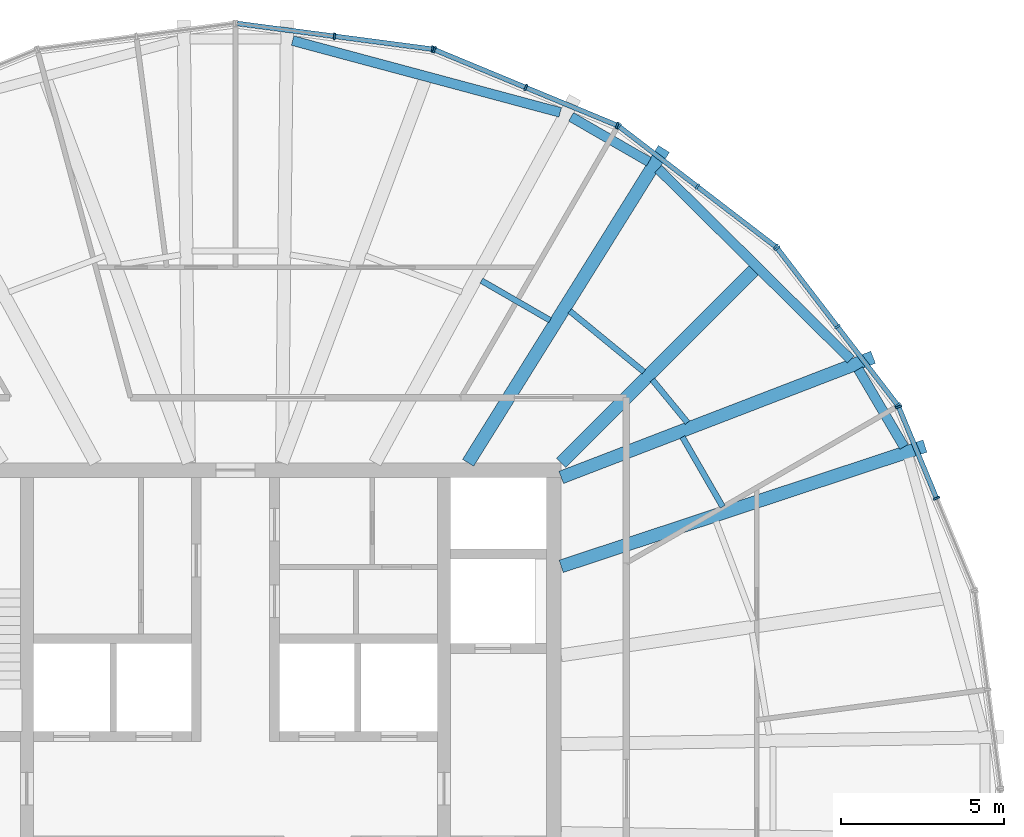
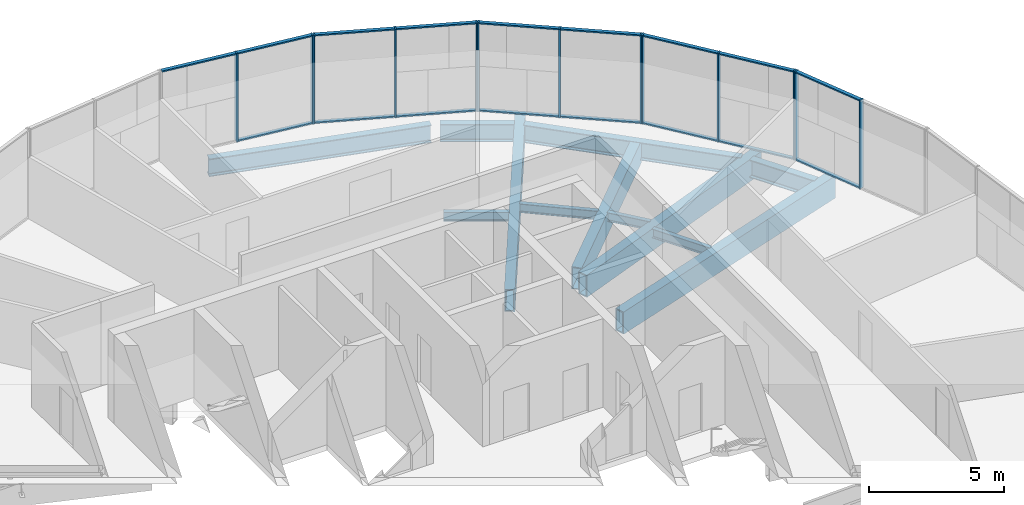
# One storey, part 7 of 13: 30 members, 12 beams, 5 elements without a shape of their own.
"""IFC4 building model written with IfcOpenShell, lengths in metres."""

from ifc_helpers import new_model, si_unit, direction, frame, origin, origin_2d, place, context, subcontext, project, spatial, rectangle, hollow_rectangle, i_section, extrude, material, material_profile, profile_set, type_object, element, aggregate, save


model = new_model("IFC4")

# Units and contexts
model_context = context("Model", 3, precision=1e-05, world=origin(), true_north=direction((0.0, 1.0)))
body_context = subcontext(model_context, "Body", "Model", "MODEL_VIEW")
ifc_project = project(units=[si_unit("LENGTHUNIT", "METRE"), si_unit("AREAUNIT", "SQUARE_METRE"), si_unit("VOLUMEUNIT", "CUBIC_METRE"), si_unit("PLANEANGLEUNIT", "RADIAN"), si_unit("MASSUNIT", "GRAM", prefix="KILO")], contexts=[model_context])

# Site, building, storey
site_placement = place(None, origin())
site = spatial("IfcSite", under=ifc_project, at=site_placement, CompositionType="ELEMENT")
building_placement = place(site_placement, origin())
building = spatial("IfcBuilding", under=site, at=building_placement, Name="Golbaran Civic Tower", CompositionType="ELEMENT")
storey_placement = place(building_placement, frame((0.0, 0.0, 211.0)))
storey = spatial("IfcBuildingStorey", under=building, at=storey_placement, Name="L51", CompositionType="ELEMENT", Elevation=211.0)

# Beams
ifc_material_1 = material(Name="Steel S355", Category="steel")
ifc_material_profile_1 = material_profile(ifc_material_1, i_section(OverallWidth=0.300048828125, OverallDepth=0.800048828125, WebThickness=0.017578125, FlangeThickness=0.032958984375, FilletRadius=0.030029296875, at=origin_2d()), Name="HEB 800")
ifc_profile_set_1 = profile_set([ifc_material_profile_1], Name="Steel S355")
beam_type_1 = type_object("IfcBeamType", Name="EDGE BEAM HEB 800", PredefinedType="BEAM", material=ifc_profile_set_1)
beam_1_placement = place(storey_placement, frame((20.519775390625, 10.489013671875, -0.60009765625), z_axis=(-0.507657170401, 0.861559166477, 0.0), x_axis=(-0.861559166477, -0.507657170401, 0.0)))
element("IfcBeam", 1, at=beam_1_placement, inside=storey, type_object=beam_type_1, Name="Edge beam 26.23 L51", PredefinedType="BEAM", context=body_context, shape_type="SweptSolid", body=[
    extrude(i_section(OverallWidth=0.300048828125, OverallDepth=0.800048828125, WebThickness=0.017578125, FlangeThickness=0.032958984375, FilletRadius=0.030029296875, at=origin_2d()), origin(), (0.0, 0.0, 1.0), 2.762939453125),
])
beam_2_placement = place(storey_placement, frame((18.88427734375, 13.16552734375, -0.60009765625), z_axis=(-0.710417192706, 0.703780798479, 0.0), x_axis=(-0.703780798479, -0.710417192706, 0.0)))
element("IfcBeam", 2, at=beam_2_placement, inside=storey, type_object=beam_type_1, Name="Edge beam 33.77 L51", PredefinedType="BEAM", context=body_context, shape_type="SweptSolid", body=[
    extrude(i_section(OverallWidth=0.300048828125, OverallDepth=0.800048828125, WebThickness=0.017578125, FlangeThickness=0.032958984375, FilletRadius=0.030029296875, at=origin_2d()), origin(), (0.0, 0.0, 1.0), 8.314208984375),
])
beam_3_placement = place(storey_placement, frame((12.690673828125, 19.236572265625, -0.60009765625), z_axis=(-0.866142829472, 0.499796557565, 0.0), x_axis=(-0.499796557565, -0.866142829472, 0.0)))
element("IfcBeam", 3, at=beam_3_placement, inside=storey, type_object=beam_type_1, Name="Edge beam 56.23 L51", PredefinedType="BEAM", context=body_context, shape_type="SweptSolid", body=[
    extrude(i_section(OverallWidth=0.300048828125, OverallDepth=0.800048828125, WebThickness=0.017578125, FlangeThickness=0.032958984375, FilletRadius=0.030029296875, at=origin_2d()), origin(), (0.0, 0.0, 1.0), 2.757080078125),
])
beam_4_placement = place(storey_placement, frame((9.9677734375, 20.75244140625, -0.60009765625), z_axis=(-0.965858788326, 0.259069104706, 0.0), x_axis=(-0.259069104706, -0.965858788326, 0.0)))
element("IfcBeam", 4, at=beam_4_placement, inside=storey, type_object=beam_type_1, Name="Edge beam 63.77 L51", PredefinedType="BEAM", context=body_context, shape_type="SweptSolid", body=[
    extrude(i_section(OverallWidth=0.300048828125, OverallDepth=0.800048828125, WebThickness=0.017578125, FlangeThickness=0.032958984375, FilletRadius=0.030029296875, at=origin_2d()), origin(), (0.0, 0.0, 1.0), 8.501220703125),
])
ifc_material_profile_2 = material_profile(ifc_material_1, i_section(OverallWidth=0.179931640625, OverallDepth=0.39990234375, WebThickness=0.008544921875, FlangeThickness=0.013427734375, FilletRadius=0.02099609375, at=origin_2d()), Name="IPE 400")
ifc_profile_set_2 = profile_set([ifc_material_profile_2], Name="Steel S355")
beam_type_2 = type_object("IfcBeamType", Name="FLOOR INFILL BEAM IPE 400", PredefinedType="BEAM", material=ifc_profile_set_2)
beam_5_placement = place(storey_placement, frame((14.954833984375, 8.649169921875, -0.39990234375), z_axis=(-0.499984653673, 0.866034263809, 0.0), x_axis=(-0.866034263809, -0.499984653673, 0.0)))
element("IfcBeam", 5, at=beam_5_placement, inside=storey, type_object=beam_type_2, Name="Infill beam 30.00 L51", PredefinedType="BEAM", context=body_context, shape_type="SweptSolid", body=[
    extrude(i_section(OverallWidth=0.179931640625, OverallDepth=0.39990234375, WebThickness=0.008544921875, FlangeThickness=0.013427734375, FilletRadius=0.02099609375, at=origin_2d()), origin(), (0.0, 0.0, 1.0), 2.4716796875),
])
beam_6_placement = place(storey_placement, frame((13.87255859375, 11.23486328125, -0.39990234375), z_axis=(-0.63457951608, 0.772857579229, 0.0), x_axis=(-0.772857579229, -0.63457951608, 0.0)))
element("IfcBeam", 6, at=beam_6_placement, inside=storey, type_object=beam_type_2, Name="Infill beam 39.39 L51", PredefinedType="BEAM", context=body_context, shape_type="SweptSolid", body=[
    extrude(i_section(OverallWidth=0.179931640625, OverallDepth=0.39990234375, WebThickness=0.008544921875, FlangeThickness=0.013427734375, FilletRadius=0.02099609375, at=origin_2d()), origin(), (0.0, 0.0, 1.0), 1.693115234375),
])
beam_7_placement = place(storey_placement, frame((12.5361328125, 12.79052734375, -0.39990234375), z_axis=(-0.77290341436, 0.634523689133, 0.0), x_axis=(-0.634523689133, -0.77290341436, 0.0)))
element("IfcBeam", 7, at=beam_7_placement, inside=storey, type_object=beam_type_2, Name="Infill beam 50.61 L51", PredefinedType="BEAM", context=body_context, shape_type="SweptSolid", body=[
    extrude(i_section(OverallWidth=0.179931640625, OverallDepth=0.39990234375, WebThickness=0.008544921875, FlangeThickness=0.013427734375, FilletRadius=0.02099609375, at=origin_2d()), origin(), (0.0, 0.0, 1.0), 2.944580078125),
])
beam_8_placement = place(storey_placement, frame((9.657470703125, 14.37255859375, -0.39990234375), z_axis=(-0.866041838024, 0.499971533982, 0.0), x_axis=(-0.499971533982, -0.866041838024, 0.0)))
element("IfcBeam", 8, at=beam_8_placement, inside=storey, type_object=beam_type_2, Name="Infill beam 60.00 L51", PredefinedType="BEAM", context=body_context, shape_type="SweptSolid", body=[
    extrude(i_section(OverallWidth=0.179931640625, OverallDepth=0.39990234375, WebThickness=0.008544921875, FlangeThickness=0.013427734375, FilletRadius=0.02099609375, at=origin_2d()), origin(), (0.0, 0.0, 1.0), 2.432373046875),
])

# Curtain wall, members
ifc_material_2 = material(Name="Aluminium and glass", Category="aluminium")
curtain_wall_type = type_object("IfcCurtainWallType", Name="INNER SKIN CURTAIN WALL EXECUTIVE", PredefinedType="NOTDEFINED", material=ifc_material_2)
curtain_wall_1_placement = place(storey_placement, origin())
curtain_wall_1 = element("IfcCurtainWall", 9, at=curtain_wall_1_placement, inside=storey, type_object=curtain_wall_type, Name="Inner skin L51 facet 2 CW2", ObjectType="INNER SKIN", PredefinedType="USERDEFINED")
ifc_material_3 = material(Name="Aluminium", Category="aluminium")
ifc_material_profile_3 = material_profile(ifc_material_3, rectangle(XDim=0.199951171875, YDim=0.06005859375, at=origin_2d()), Name="INNER SKIN CURTAIN WALL EXECUTIVE MULLION")
ifc_profile_set_3 = profile_set([ifc_material_profile_3], Name="Aluminium")
member_type_1 = type_object("IfcMemberType", Name="INNER SKIN CURTAIN WALL EXECUTIVE MULLION", PredefinedType="MULLION", material=ifc_profile_set_3)
member_1_placement = place(storey_placement, frame((21.514404296875, 8.91162109375, 0.0), z_axis=(0.0, 0.0, 1.0), x_axis=(-0.923879532505, -0.382683432381, 0.0)))
member_1 = element("IfcMember", 10, at=member_1_placement, type_object=member_type_1, Name="CW2 mullion 2", PredefinedType="MULLION", context=body_context, shape_type="SweptSolid", body=[
    extrude(rectangle(XDim=0.199951171875, YDim=0.06005859375, at=origin_2d()), origin(), (0.0, 0.0, 1.0), 4.0),
])
member_2_placement = place(storey_placement, frame((20.352783203125, 11.71630859375, 0.0), z_axis=(0.0, 0.0, 1.0), x_axis=(-0.923879532505, -0.382683432381, 0.0)))
member_2 = element("IfcMember", 11, at=member_2_placement, type_object=member_type_1, Name="CW2 mullion 3", PredefinedType="MULLION", context=body_context, shape_type="SweptSolid", body=[
    extrude(rectangle(XDim=0.199951171875, YDim=0.06005859375, at=origin_2d()), origin(), (0.0, 0.0, 1.0), 4.0),
])

curtain_wall_2_placement = place(storey_placement, origin())
curtain_wall_2 = element("IfcCurtainWall", 12, at=curtain_wall_2_placement, inside=storey, type_object=curtain_wall_type, Name="Inner skin L51 facet 3 CW2", ObjectType="INNER SKIN", PredefinedType="USERDEFINED")
member_3_placement = place(storey_placement, frame((20.322998046875, 11.767822265625, 0.0), z_axis=(0.0, 0.0, 1.0), x_axis=(-0.793353340366, -0.608761428912, 0.0)))
member_3 = element("IfcMember", 13, at=member_3_placement, type_object=member_type_1, Name="CW2 mullion 1", PredefinedType="MULLION", context=body_context, shape_type="SweptSolid", body=[
    extrude(rectangle(XDim=0.199951171875, YDim=0.06005859375, at=origin_2d()), origin(), (0.0, 0.0, 1.0), 4.0),
])
member_4_placement = place(storey_placement, frame((18.474853515625, 14.17626953125, 0.0), z_axis=(0.0, 0.0, 1.0), x_axis=(-0.793353340366, -0.608761428912, 0.0)))
member_4 = element("IfcMember", 14, at=member_4_placement, type_object=member_type_1, Name="CW2 mullion 2", PredefinedType="MULLION", context=body_context, shape_type="SweptSolid", body=[
    extrude(rectangle(XDim=0.199951171875, YDim=0.06005859375, at=origin_2d()), origin(), (0.0, 0.0, 1.0), 4.0),
])
member_5_placement = place(storey_placement, frame((16.626708984375, 16.584716796875, 0.0), z_axis=(0.0, 0.0, 1.0), x_axis=(-0.793353340366, -0.608761428912, 0.0)))
member_5 = element("IfcMember", 15, at=member_5_placement, type_object=member_type_1, Name="CW2 mullion 3", PredefinedType="MULLION", context=body_context, shape_type="SweptSolid", body=[
    extrude(rectangle(XDim=0.199951171875, YDim=0.06005859375, at=origin_2d()), origin(), (0.0, 0.0, 1.0), 4.0),
])

curtain_wall_3_placement = place(storey_placement, origin())
curtain_wall_3 = element("IfcCurtainWall", 16, at=curtain_wall_3_placement, inside=storey, type_object=curtain_wall_type, Name="Inner skin L51 facet 4 CW2", ObjectType="INNER SKIN", PredefinedType="USERDEFINED")
member_6_placement = place(storey_placement, frame((16.584716796875, 16.626708984375, 0.0), z_axis=(0.0, 0.0, 1.0), x_axis=(-0.608761428912, -0.793353340366, 0.0)))
member_6 = element("IfcMember", 17, at=member_6_placement, type_object=member_type_1, Name="CW2 mullion 1", PredefinedType="MULLION", context=body_context, shape_type="SweptSolid", body=[
    extrude(rectangle(XDim=0.199951171875, YDim=0.06005859375, at=origin_2d()), origin(), (0.0, 0.0, 1.0), 4.0),
])
member_7_placement = place(storey_placement, frame((14.17626953125, 18.474853515625, 0.0), z_axis=(0.0, 0.0, 1.0), x_axis=(-0.608761428912, -0.793353340366, 0.0)))
member_7 = element("IfcMember", 18, at=member_7_placement, type_object=member_type_1, Name="CW2 mullion 2", PredefinedType="MULLION", context=body_context, shape_type="SweptSolid", body=[
    extrude(rectangle(XDim=0.199951171875, YDim=0.06005859375, at=origin_2d()), origin(), (0.0, 0.0, 1.0), 4.0),
])
member_8_placement = place(storey_placement, frame((11.767822265625, 20.322998046875, 0.0), z_axis=(0.0, 0.0, 1.0), x_axis=(-0.608761428912, -0.793353340366, 0.0)))
member_8 = element("IfcMember", 19, at=member_8_placement, type_object=member_type_1, Name="CW2 mullion 3", PredefinedType="MULLION", context=body_context, shape_type="SweptSolid", body=[
    extrude(rectangle(XDim=0.199951171875, YDim=0.06005859375, at=origin_2d()), origin(), (0.0, 0.0, 1.0), 4.0),
])

curtain_wall_4_placement = place(storey_placement, origin())
curtain_wall_4 = element("IfcCurtainWall", 20, at=curtain_wall_4_placement, inside=storey, type_object=curtain_wall_type, Name="Inner skin L51 facet 5 CW2", ObjectType="INNER SKIN", PredefinedType="USERDEFINED")
member_9_placement = place(storey_placement, frame((11.71630859375, 20.352783203125, 0.0), z_axis=(0.0, 0.0, 1.0), x_axis=(-0.382683432381, -0.923879532505, 0.0)))
member_9 = element("IfcMember", 21, at=member_9_placement, type_object=member_type_1, Name="CW2 mullion 1", PredefinedType="MULLION", context=body_context, shape_type="SweptSolid", body=[
    extrude(rectangle(XDim=0.199951171875, YDim=0.06005859375, at=origin_2d()), origin(), (0.0, 0.0, 1.0), 4.0),
])
member_10_placement = place(storey_placement, frame((8.91162109375, 21.514404296875, 0.0), z_axis=(0.0, 0.0, 1.0), x_axis=(-0.382683432381, -0.923879532505, 0.0)))
member_10 = element("IfcMember", 22, at=member_10_placement, type_object=member_type_1, Name="CW2 mullion 2", PredefinedType="MULLION", context=body_context, shape_type="SweptSolid", body=[
    extrude(rectangle(XDim=0.199951171875, YDim=0.06005859375, at=origin_2d()), origin(), (0.0, 0.0, 1.0), 4.0),
])
member_11_placement = place(storey_placement, frame((6.10693359375, 22.67626953125, 0.0), z_axis=(0.0, 0.0, 1.0), x_axis=(-0.382683432381, -0.923879532505, 0.0)))
member_11 = element("IfcMember", 23, at=member_11_placement, type_object=member_type_1, Name="CW2 mullion 3", PredefinedType="MULLION", context=body_context, shape_type="SweptSolid", body=[
    extrude(rectangle(XDim=0.199951171875, YDim=0.06005859375, at=origin_2d()), origin(), (0.0, 0.0, 1.0), 4.0),
])

curtain_wall_5_placement = place(storey_placement, origin())
curtain_wall_5 = element("IfcCurtainWall", 24, at=curtain_wall_5_placement, inside=storey, type_object=curtain_wall_type, Name="Inner skin L51 facet 6 CW2", ObjectType="INNER SKIN", PredefinedType="USERDEFINED")
member_12_placement = place(storey_placement, frame((6.04931640625, 22.691650390625, 0.0), z_axis=(0.0, 0.0, 1.0), x_axis=(-0.130526192203, -0.991444861376, 0.0)))
member_12 = element("IfcMember", 25, at=member_12_placement, type_object=member_type_1, Name="CW2 mullion 1", PredefinedType="MULLION", context=body_context, shape_type="SweptSolid", body=[
    extrude(rectangle(XDim=0.199951171875, YDim=0.06005859375, at=origin_2d()), origin(), (0.0, 0.0, 1.0), 4.0),
])
member_13_placement = place(storey_placement, frame((3.03955078125, 23.087890625, 0.0), z_axis=(0.0, 0.0, 1.0), x_axis=(-0.130526192203, -0.991444861376, 0.0)))
member_13 = element("IfcMember", 26, at=member_13_placement, type_object=member_type_1, Name="CW2 mullion 2", PredefinedType="MULLION", context=body_context, shape_type="SweptSolid", body=[
    extrude(rectangle(XDim=0.199951171875, YDim=0.06005859375, at=origin_2d()), origin(), (0.0, 0.0, 1.0), 4.0),
])

# Member
ifc_material_profile_4 = material_profile(ifc_material_3, rectangle(XDim=0.14990234375, YDim=0.06005859375, at=origin_2d()), Name="INNER SKIN CURTAIN WALL EXECUTIVE TRANSOM")
ifc_profile_set_4 = profile_set([ifc_material_profile_4], Name="Aluminium")
member_type_2 = type_object("IfcMemberType", Name="INNER SKIN CURTAIN WALL EXECUTIVE TRANSOM", PredefinedType="USERDEFINED", material=ifc_profile_set_4)
member_14_placement = place(storey_placement, frame((21.5029296875, 8.939208984375, 0.030029296875), z_axis=(-0.382651294204, 0.923892843918, 0.0), x_axis=(-0.923892843918, -0.382651294204, 0.0)))
member_14 = element("IfcMember", 27, at=member_14_placement, type_object=member_type_2, Name="CW2 transom 2.1", ObjectType="TRANSOM", PredefinedType="USERDEFINED", context=body_context, shape_type="SweptSolid", body=[
    extrude(rectangle(XDim=0.14990234375, YDim=0.06005859375, at=origin_2d()), origin(), (0.0, 0.0, 1.0), 2.975830078125),
])

member_15_placement = place(storey_placement, frame((21.5029296875, 8.939208984375, 3.969970703125), z_axis=(-0.382651294204, 0.923892843918, 0.0), x_axis=(-0.923892843918, -0.382651294204, 0.0)))
member_15 = element("IfcMember", 28, at=member_15_placement, type_object=member_type_2, Name="CW2 transom 2.2", ObjectType="TRANSOM", PredefinedType="USERDEFINED", context=body_context, shape_type="SweptSolid", body=[
    extrude(rectangle(XDim=0.14990234375, YDim=0.06005859375, at=origin_2d()), origin(), (0.0, 0.0, 1.0), 2.975830078125),
])

aggregate(curtain_wall_1, [member_1, member_2, member_14, member_15])

member_16_placement = place(storey_placement, frame((20.3046875, 11.79150390625, 0.030029296875), z_axis=(-0.608758745152, 0.79335539968, 0.0), x_axis=(-0.79335539968, -0.608758745152, 0.0)))
member_16 = element("IfcMember", 29, at=member_16_placement, type_object=member_type_2, Name="CW2 transom 1.1", ObjectType="TRANSOM", PredefinedType="USERDEFINED", context=body_context, shape_type="SweptSolid", body=[
    extrude(rectangle(XDim=0.14990234375, YDim=0.06005859375, at=origin_2d()), origin(), (0.0, 0.0, 1.0), 2.975830078125),
])

member_17_placement = place(storey_placement, frame((20.3046875, 11.79150390625, 3.969970703125), z_axis=(-0.608758745152, 0.79335539968, 0.0), x_axis=(-0.79335539968, -0.608758745152, 0.0)))
member_17 = element("IfcMember", 30, at=member_17_placement, type_object=member_type_2, Name="CW2 transom 1.2", ObjectType="TRANSOM", PredefinedType="USERDEFINED", context=body_context, shape_type="SweptSolid", body=[
    extrude(rectangle(XDim=0.14990234375, YDim=0.06005859375, at=origin_2d()), origin(), (0.0, 0.0, 1.0), 2.975830078125),
])

member_18_placement = place(storey_placement, frame((18.45654296875, 14.199951171875, 0.030029296875), z_axis=(-0.608719123338, 0.793385800782, 0.0), x_axis=(-0.793385800782, -0.608719123338, 0.0)))
member_18 = element("IfcMember", 31, at=member_18_placement, type_object=member_type_2, Name="CW2 transom 2.1", ObjectType="TRANSOM", PredefinedType="USERDEFINED", context=body_context, shape_type="SweptSolid", body=[
    extrude(rectangle(XDim=0.14990234375, YDim=0.06005859375, at=origin_2d()), origin(), (0.0, 0.0, 1.0), 2.97607421875),
])

member_19_placement = place(storey_placement, frame((18.45654296875, 14.199951171875, 3.969970703125), z_axis=(-0.608719123338, 0.793385800782, 0.0), x_axis=(-0.793385800782, -0.608719123338, 0.0)))
member_19 = element("IfcMember", 32, at=member_19_placement, type_object=member_type_2, Name="CW2 transom 2.2", ObjectType="TRANSOM", PredefinedType="USERDEFINED", context=body_context, shape_type="SweptSolid", body=[
    extrude(rectangle(XDim=0.14990234375, YDim=0.06005859375, at=origin_2d()), origin(), (0.0, 0.0, 1.0), 2.97607421875),
])

aggregate(curtain_wall_2, [member_3, member_4, member_5, member_16, member_17, member_18, member_19])

member_20_placement = place(storey_placement, frame((16.56103515625, 16.64501953125, 0.030029296875), z_axis=(-0.793385800782, 0.608719123338, 0.0), x_axis=(-0.608719123338, -0.793385800782, 0.0)))
member_20 = element("IfcMember", 33, at=member_20_placement, type_object=member_type_2, Name="CW2 transom 1.1", ObjectType="TRANSOM", PredefinedType="USERDEFINED", context=body_context, shape_type="SweptSolid", body=[
    extrude(rectangle(XDim=0.14990234375, YDim=0.06005859375, at=origin_2d()), origin(), (0.0, 0.0, 1.0), 2.97607421875),
])

member_21_placement = place(storey_placement, frame((16.56103515625, 16.64501953125, 3.969970703125), z_axis=(-0.793385800782, 0.608719123338, 0.0), x_axis=(-0.608719123338, -0.793385800782, 0.0)))
member_21 = element("IfcMember", 34, at=member_21_placement, type_object=member_type_2, Name="CW2 transom 1.2", ObjectType="TRANSOM", PredefinedType="USERDEFINED", context=body_context, shape_type="SweptSolid", body=[
    extrude(rectangle(XDim=0.14990234375, YDim=0.06005859375, at=origin_2d()), origin(), (0.0, 0.0, 1.0), 2.97607421875),
])

member_22_placement = place(storey_placement, frame((14.15234375, 18.4931640625, 0.030029296875), z_axis=(-0.79335539968, 0.608758745152, 0.0), x_axis=(-0.608758745152, -0.79335539968, 0.0)))
member_22 = element("IfcMember", 35, at=member_22_placement, type_object=member_type_2, Name="CW2 transom 2.1", ObjectType="TRANSOM", PredefinedType="USERDEFINED", context=body_context, shape_type="SweptSolid", body=[
    extrude(rectangle(XDim=0.14990234375, YDim=0.06005859375, at=origin_2d()), origin(), (0.0, 0.0, 1.0), 2.975830078125),
])

member_23_placement = place(storey_placement, frame((14.15234375, 18.4931640625, 3.969970703125), z_axis=(-0.79335539968, 0.608758745152, 0.0), x_axis=(-0.608758745152, -0.79335539968, 0.0)))
member_23 = element("IfcMember", 36, at=member_23_placement, type_object=member_type_2, Name="CW2 transom 2.2", ObjectType="TRANSOM", PredefinedType="USERDEFINED", context=body_context, shape_type="SweptSolid", body=[
    extrude(rectangle(XDim=0.14990234375, YDim=0.06005859375, at=origin_2d()), origin(), (0.0, 0.0, 1.0), 2.975830078125),
])

aggregate(curtain_wall_3, [member_6, member_7, member_8, member_20, member_21, member_22, member_23])

member_24_placement = place(storey_placement, frame((11.6884765625, 20.3642578125, 0.030029296875), z_axis=(-0.923892843918, 0.382651294204, 0.0), x_axis=(-0.382651294204, -0.923892843918, 0.0)))
member_24 = element("IfcMember", 37, at=member_24_placement, type_object=member_type_2, Name="CW2 transom 1.1", ObjectType="TRANSOM", PredefinedType="USERDEFINED", context=body_context, shape_type="SweptSolid", body=[
    extrude(rectangle(XDim=0.14990234375, YDim=0.06005859375, at=origin_2d()), origin(), (0.0, 0.0, 1.0), 2.975830078125),
])

member_25_placement = place(storey_placement, frame((11.6884765625, 20.3642578125, 3.969970703125), z_axis=(-0.923892843918, 0.382651294204, 0.0), x_axis=(-0.382651294204, -0.923892843918, 0.0)))
member_25 = element("IfcMember", 38, at=member_25_placement, type_object=member_type_2, Name="CW2 transom 1.2", ObjectType="TRANSOM", PredefinedType="USERDEFINED", context=body_context, shape_type="SweptSolid", body=[
    extrude(rectangle(XDim=0.14990234375, YDim=0.06005859375, at=origin_2d()), origin(), (0.0, 0.0, 1.0), 2.975830078125),
])

member_26_placement = place(storey_placement, frame((8.8837890625, 21.52587890625, 0.030029296875), z_axis=(-0.923863837405, 0.382721321507, 0.0), x_axis=(-0.382721321507, -0.923863837405, 0.0)))
member_26 = element("IfcMember", 39, at=member_26_placement, type_object=member_type_2, Name="CW2 transom 2.1", ObjectType="TRANSOM", PredefinedType="USERDEFINED", context=body_context, shape_type="SweptSolid", body=[
    extrude(rectangle(XDim=0.14990234375, YDim=0.06005859375, at=origin_2d()), origin(), (0.0, 0.0, 1.0), 2.975830078125),
])

member_27_placement = place(storey_placement, frame((8.8837890625, 21.52587890625, 3.969970703125), z_axis=(-0.923863837405, 0.382721321507, 0.0), x_axis=(-0.382721321507, -0.923863837405, 0.0)))
member_27 = element("IfcMember", 40, at=member_27_placement, type_object=member_type_2, Name="CW2 transom 2.2", ObjectType="TRANSOM", PredefinedType="USERDEFINED", context=body_context, shape_type="SweptSolid", body=[
    extrude(rectangle(XDim=0.14990234375, YDim=0.06005859375, at=origin_2d()), origin(), (0.0, 0.0, 1.0), 2.975830078125),
])

aggregate(curtain_wall_4, [member_9, member_10, member_11, member_24, member_25, member_26, member_27])

member_28_placement = place(storey_placement, frame((6.019775390625, 22.695556640625, 0.030029296875), z_axis=(-0.991445078306, 0.130524544442, 0.0), x_axis=(-0.130524544442, -0.991445078306, 0.0)))
member_28 = element("IfcMember", 41, at=member_28_placement, type_object=member_type_2, Name="CW2 transom 1.1", ObjectType="TRANSOM", PredefinedType="USERDEFINED", context=body_context, shape_type="SweptSolid", body=[
    extrude(rectangle(XDim=0.14990234375, YDim=0.06005859375, at=origin_2d()), origin(), (0.0, 0.0, 1.0), 2.975830078125),
])

member_29_placement = place(storey_placement, frame((6.019775390625, 22.695556640625, 3.969970703125), z_axis=(-0.991445078306, 0.130524544442, 0.0), x_axis=(-0.130524544442, -0.991445078306, 0.0)))
member_29 = element("IfcMember", 42, at=member_29_placement, type_object=member_type_2, Name="CW2 transom 1.2", ObjectType="TRANSOM", PredefinedType="USERDEFINED", context=body_context, shape_type="SweptSolid", body=[
    extrude(rectangle(XDim=0.14990234375, YDim=0.06005859375, at=origin_2d()), origin(), (0.0, 0.0, 1.0), 2.975830078125),
])

member_30_placement = place(storey_placement, frame((3.009765625, 23.091796875, 3.969970703125), z_axis=(-0.99144368046, 0.130535161835, 0.0), x_axis=(-0.130535161835, -0.99144368046, 0.0)))
member_30 = element("IfcMember", 43, at=member_30_placement, type_object=member_type_2, Name="CW2 transom 2.2", ObjectType="TRANSOM", PredefinedType="USERDEFINED", context=body_context, shape_type="SweptSolid", body=[
    extrude(rectangle(XDim=0.14990234375, YDim=0.06005859375, at=origin_2d()), origin(), (0.0, 0.0, 1.0), 2.9755859375),
])

aggregate(curtain_wall_5, [member_12, member_13, member_28, member_29, member_30])

# Beams
ifc_material_profile_5 = material_profile(ifc_material_1, hollow_rectangle(XDim=0.39990234375, YDim=1.0, WallThickness=0.050048828125, at=origin_2d()), Name="BOX 1000x400x50")
ifc_profile_set_5 = profile_set([ifc_material_profile_5], Name="Steel S355")
beam_type_3 = type_object("IfcBeamType", Name="RADIAL FLOOR BEAM BOX 1000x400x50", PredefinedType="BEAM", material=ifc_profile_set_5)
beam_9_placement = place(storey_placement, frame((10.0, 6.821533203125, -0.7099609375), z_axis=(0.949452887328, 0.313909564594, 0.0), x_axis=(-0.313909564594, 0.949452887328, 0.0)))
element("IfcBeam", 44, at=beam_9_placement, inside=storey, type_object=beam_type_3, Name="Radial beam 26.23 L51", PredefinedType="BEAM", context=body_context, shape_type="SweptSolid", body=[
    extrude(hollow_rectangle(XDim=0.39990234375, YDim=1.0, WallThickness=0.050048828125, at=origin_2d()), origin(), (0.0, 0.0, 1.0), 11.7578125),
])
beam_10_placement = place(storey_placement, frame((10.0, 9.550048828125, -0.7099609375), z_axis=(0.933152848345, 0.359479848707, 0.0), x_axis=(-0.359479848707, 0.933152848345, 0.0)))
element("IfcBeam", 45, at=beam_10_placement, inside=storey, type_object=beam_type_3, Name="Radial beam 33.77 L51", PredefinedType="BEAM", context=body_context, shape_type="SweptSolid", body=[
    extrude(hollow_rectangle(XDim=0.39990234375, YDim=1.0, WallThickness=0.050048828125, at=origin_2d()), origin(), (0.0, 0.0, 1.0), 10.257080078125),
])
beam_11_placement = place(storey_placement, frame((7.142822265625, 10.0, -0.7099609375), z_axis=(0.529136453268, 0.848536748658, 0.0), x_axis=(-0.848536748658, 0.529136453268, 0.0)))
element("IfcBeam", 46, at=beam_11_placement, inside=storey, type_object=beam_type_3, Name="Radial beam 56.23 L51", PredefinedType="BEAM", context=body_context, shape_type="SweptSolid", body=[
    extrude(hollow_rectangle(XDim=0.39990234375, YDim=1.0, WallThickness=0.050048828125, at=origin_2d()), origin(), (0.0, 0.0, 1.0), 11.351806640625),
])
ifc_material_profile_6 = material_profile(ifc_material_1, hollow_rectangle(XDim=0.39990234375, YDim=1.0, WallThickness=0.0400390625, at=origin_2d()), Name="BOX 1000x400x40")
ifc_profile_set_6 = profile_set([ifc_material_profile_6], Name="Steel S355")
beam_type_4 = type_object("IfcBeamType", Name="SECONDARY FLOOR BEAM BOX 1000x400x40", PredefinedType="BEAM", material=ifc_profile_set_6)
beam_12_placement = place(storey_placement, frame((10.0, 10.0, -0.7099609375), z_axis=(0.707106781187, 0.707106781187, 0.0), x_axis=(-0.707106781187, 0.707106781187, 0.0)))
element("IfcBeam", 47, at=beam_12_placement, inside=storey, type_object=beam_type_4, Name="Secondary beam 45.00 L51", PredefinedType="BEAM", context=body_context, shape_type="SweptSolid", body=[
    extrude(hollow_rectangle(XDim=0.39990234375, YDim=1.0, WallThickness=0.0400390625, at=origin_2d()), origin(), (0.0, 0.0, 1.0), 8.50146484375),
])

save(model, "model.ifc")
